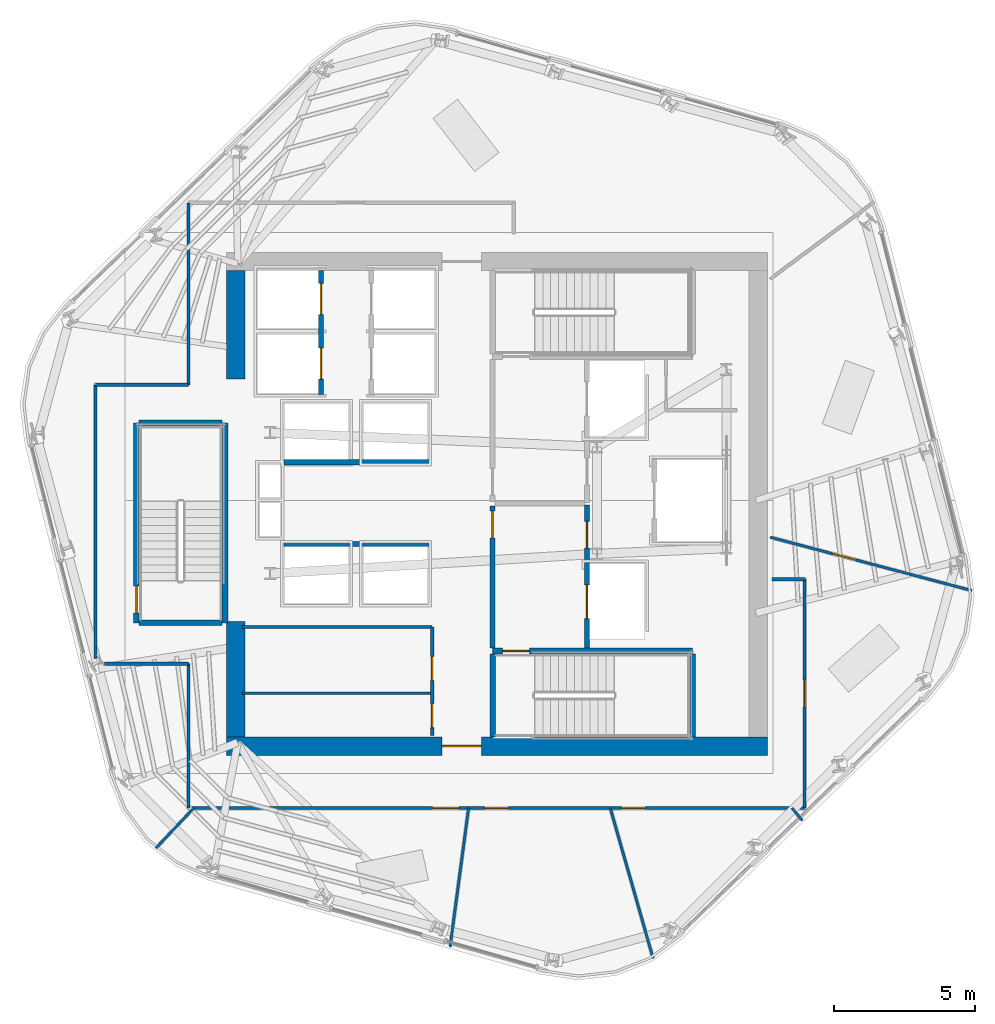
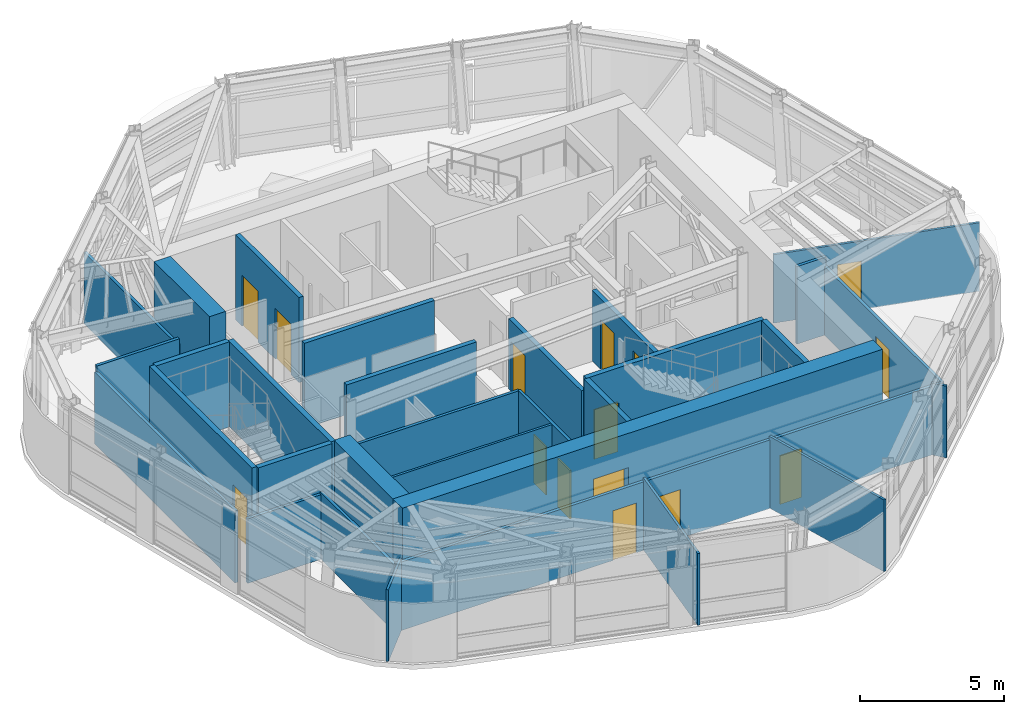
# One storey, part 8 of 14: 31 walls, 15 doors, 15 openings.
"""IFC4 building model written with IfcOpenShell, lengths in metres."""

from ifc_helpers import new_model, si_unit, direction, frame, frame_2d, origin, place, context, subcontext, project, spatial, rectangle, extrude, material, layer, layer_set, type_object, element, fill, save


model = new_model("IFC4")

# Units and contexts
model_context = context("Model", 3, precision=1e-05, world=origin(), true_north=direction((0.0, 1.0)))
body_context = subcontext(model_context, "Body", "Model", "MODEL_VIEW")
ifc_project = project(units=[si_unit("LENGTHUNIT", "METRE"), si_unit("AREAUNIT", "SQUARE_METRE"), si_unit("VOLUMEUNIT", "CUBIC_METRE"), si_unit("PLANEANGLEUNIT", "RADIAN"), si_unit("MASSUNIT", "GRAM", prefix="KILO")], contexts=[model_context])

# Site, building, storey
site_placement = place(None, origin())
site = spatial("IfcSite", under=ifc_project, at=site_placement, CompositionType="ELEMENT")
building_placement = place(site_placement, origin())
building = spatial("IfcBuilding", under=site, at=building_placement, Name="Valkerne Bourse Tower", CompositionType="ELEMENT")
storey_placement = place(building_placement, frame((0.0, 0.0, 213.199951171875)))
storey = spatial("IfcBuildingStorey", under=building, at=storey_placement, Name="L54", CompositionType="ELEMENT", Elevation=213.199951171875)

# Wall, opening, door
ifc_material_1 = material(Name="Concrete C55/67", Category="concrete")
ifc_layer_1 = layer(ifc_material_1, 0.64990234375)
ifc_layer_set_1 = layer_set([ifc_layer_1], Name="Concrete C55/67")
wall_type_1 = type_object("IfcWallType", Name="W-CORE-650", PredefinedType="SHEAR", material=ifc_layer_set_1)
wall_1_placement = place(storey_placement, frame((37.199951171875, 18.27490234375, 0.0), z_axis=(0.0, 0.0, 1.0), x_axis=(1.0, 0.0, 0.0)))
wall_1 = element("IfcWall", 1, at=wall_1_placement, inside=storey, type_object=wall_type_1, Name="L54 Core Shear Wall SOUTH", PredefinedType="SHEAR", context=body_context, shape_type="SweptSolid", body=[
    extrude(rectangle(XDim=19.199951171875, YDim=0.64990234375, at=frame_2d((9.60009765625, 0.0))), origin(), (0.0, 0.0, 1.0), 3.60009765625),
])
opening_1_placement = place(wall_1_placement, frame((7.64990234375, 0.0, 0.0)))
opening_1 = element("IfcOpeningElement", 2, at=opening_1_placement, cuts=wall_1, Name="Opening D-PL-1400", PredefinedType="OPENING", context=body_context, shape_type="SweptSolid", body=[
    extrude(rectangle(XDim=1.39990234375, YDim=2.14990234375, at=frame_2d((0.699951171875, 1.074951171875))), frame((0.0, 0.3349609375, 0.0), z_axis=(0.0, -1.0, 0.0), x_axis=(1.0, 0.0, 0.0)), (0.0, 0.0, 1.0), 0.669921875),
])
ifc_material_2 = material(Name="Galvanised Painted Steel", Category="steel")
door_type_1 = type_object("IfcDoorType", Name="DR-PLT-1400", OperationType="DOUBLE_DOOR_SINGLE_SWING", PredefinedType="DOOR", material=ifc_material_2)
door_1_placement = place(opening_1_placement, origin())
door_1 = element("IfcDoor", 3, at=door_1_placement, inside=storey, type_object=door_type_1, Name="L54 South Passenger Lift Hall Fire Door", OperationType="DOUBLE_DOOR_SINGLE_SWING", OverallHeight=2.14990234375, OverallWidth=1.39990234375, PredefinedType="DOOR", context=body_context, shape_type="SweptSolid", body=[
    extrude(rectangle(XDim=1.39990234375, YDim=2.14990234375, at=frame_2d((0.699951171875, 1.074951171875))), frame((0.0, 0.02490234375, 0.0), z_axis=(0.0, -1.0, 0.0), x_axis=(1.0, 0.0, 0.0)), (0.0, 0.0, 1.0), 0.050048828125),
])
fill(opening_1, door_1)

# Walls
wall_2_placement = place(storey_placement, frame((37.52490234375, 18.60009765625, 0.0), z_axis=(0.0, 0.0, 1.0), x_axis=(0.0, 1.0, 0.0)))
element("IfcWall", 4, at=wall_2_placement, inside=storey, type_object=wall_type_1, Name="L54 Core Shear Wall WEST-S", PredefinedType="SHEAR", context=body_context, shape_type="SweptSolid", body=[
    extrude(rectangle(XDim=4.099853515625, YDim=0.64990234375, at=frame_2d((2.0498046875, 0.0))), origin(), (0.0, 0.0, 1.0), 3.60009765625),
])
wall_3_placement = place(storey_placement, frame((37.52490234375, 31.300048828125, 0.0), z_axis=(0.0, 0.0, 1.0), x_axis=(0.0, 1.0, 0.0)))
element("IfcWall", 5, at=wall_3_placement, inside=storey, type_object=wall_type_1, Name="L54 Core Shear Wall WEST-N", PredefinedType="SHEAR", context=body_context, shape_type="SweptSolid", body=[
    extrude(rectangle(XDim=3.849853515625, YDim=0.64990234375, at=frame_2d((1.9248046875, 0.0))), origin(), (0.0, 0.0, 1.0), 3.60009765625),
])

# Wall, openings, doors
ifc_material_3 = material(Name="Gypsum Board Steel-Stud Partition", Category="steel")
ifc_layer_2 = layer(ifc_material_3, 0.117919921875)
ifc_layer_set_2 = layer_set([ifc_layer_2], Name="Gypsum Board Steel-Stud Partition")
wall_type_2 = type_object("IfcWallType", Name="W-CORR-140", PredefinedType="PARTITIONING", material=ifc_layer_set_2)
wall_4_placement = place(storey_placement, frame((44.5, 18.64990234375, 0.0), z_axis=(0.0, 0.0, 1.0), x_axis=(0.0, 1.0, 0.0)))
wall_4 = element("IfcWall", 6, at=wall_4_placement, inside=storey, type_object=wall_type_2, Name="L54 LV7 Low-Bank East Wall", PredefinedType="PARTITIONING", context=body_context, shape_type="SweptSolid", body=[
    extrude(rectangle(XDim=3.85009765625, YDim=0.117919921875, at=frame_2d((1.925048828125, 0.0))), origin(), (0.0, 0.0, 1.0), 3.300048828125),
])
opening_2_placement = place(wall_4_placement, frame((0.280029296875, 0.0, 0.0)))
opening_2 = element("IfcOpeningElement", 7, at=opening_2_placement, cuts=wall_4, Name="Opening D-WC-900", PredefinedType="OPENING", context=body_context, shape_type="SweptSolid", body=[
    extrude(rectangle(XDim=0.860107421875, YDim=2.050048828125, at=frame_2d((0.43017578125, 1.02490234375))), frame((0.0, 0.06884765625, 0.0), z_axis=(0.0, -1.0, 0.0), x_axis=(1.0, 0.0, 0.0)), (0.0, 0.0, 1.0), 0.137939453125),
])
opening_3_placement = place(wall_4_placement, frame((1.949951171875, 0.0, 0.0)))
opening_3 = element("IfcOpeningElement", 8, at=opening_3_placement, cuts=wall_4, Name="Opening D-WC-900", PredefinedType="OPENING", context=body_context, shape_type="SweptSolid", body=[
    extrude(rectangle(XDim=0.860107421875, YDim=2.050048828125, at=frame_2d((0.43017578125, 1.02490234375))), frame((0.0, 0.06884765625, 0.0), z_axis=(0.0, -1.0, 0.0), x_axis=(1.0, 0.0, 0.0)), (0.0, 0.0, 1.0), 0.137939453125),
])
ifc_material_4 = material(Name="Architectural White Oak Timber", Category="wood")
door_type_2 = type_object("IfcDoorType", Name="DR-WC-900", OperationType="NOTDEFINED", PredefinedType="DOOR", material=ifc_material_4)
door_2_placement = place(opening_2_placement, origin())
door_2 = element("IfcDoor", 9, at=door_2_placement, inside=storey, type_object=door_type_2, Name="L54 Tea Pantry Door", OperationType="SINGLE_SWING_RIGHT", OverallHeight=2.050048828125, OverallWidth=0.860107421875, PredefinedType="DOOR", context=body_context, shape_type="SweptSolid", body=[
    extrude(rectangle(XDim=0.860107421875, YDim=2.050048828125, at=frame_2d((0.43017578125, 1.02490234375))), frame((0.0, 0.02490234375, 0.0), z_axis=(0.0, -1.0, 0.0), x_axis=(1.0, 0.0, 0.0)), (0.0, 0.0, 1.0), 0.050048828125),
])
fill(opening_2, door_2)
door_3_placement = place(opening_3_placement, origin())
door_3 = element("IfcDoor", 10, at=door_3_placement, inside=storey, type_object=door_type_2, Name="L54 Portfolio Risk Office Door", OperationType="SINGLE_SWING_RIGHT", OverallHeight=2.050048828125, OverallWidth=0.860107421875, PredefinedType="DOOR", context=body_context, shape_type="SweptSolid", body=[
    extrude(rectangle(XDim=0.860107421875, YDim=2.050048828125, at=frame_2d((0.43017578125, 1.02490234375))), frame((0.0, 0.02490234375, 0.0), z_axis=(0.0, -1.0, 0.0), x_axis=(1.0, 0.0, 0.0)), (0.0, 0.0, 1.0), 0.050048828125),
])
fill(opening_3, door_3)

# Walls
wall_5_placement = place(storey_placement, frame((37.75, 22.5, 0.0), z_axis=(0.0, 0.0, 1.0), x_axis=(1.0, 0.0, 0.0)))
element("IfcWall", 11, at=wall_5_placement, inside=storey, type_object=wall_type_2, Name="L54 LV7 Low-Bank North Wall", PredefinedType="PARTITIONING", context=body_context, shape_type="SweptSolid", body=[
    extrude(rectangle(XDim=6.75, YDim=0.117919921875, at=frame_2d((3.375, 0.0))), origin(), (0.0, 0.0, 1.0), 3.300048828125),
])
wall_6_placement = place(storey_placement, frame((35.85009765625, 16.080078125, 0.0), z_axis=(0.0, 0.0, 1.0), x_axis=(0.0, 1.0, 0.0)))
element("IfcWall", 12, at=wall_6_placement, inside=storey, type_object=wall_type_2, Name="L54 Corridor Enclosure Wall", PredefinedType="PARTITIONING", context=body_context, shape_type="SweptSolid", body=[
    extrude(rectangle(XDim=5.119873046875, YDim=0.117919921875, at=frame_2d((2.56005859375, 0.0))), origin(), (0.0, 0.0, 1.0), 2.820556640625),
])
wall_7_placement = place(storey_placement, frame((35.85009765625, 21.199951171875, 0.0), z_axis=(0.0, 0.0, 1.0), x_axis=(-1.0, 0.0, 0.0)))
element("IfcWall", 13, at=wall_7_placement, inside=storey, type_object=wall_type_2, Name="L54 Corridor Enclosure Wall", PredefinedType="PARTITIONING", context=body_context, shape_type="SweptSolid", body=[
    extrude(rectangle(XDim=2.985107421875, YDim=0.117919921875, at=frame_2d((1.49267578125, 0.0))), origin(), (0.0, 0.0, 1.0), 2.731689453125),
])
wall_8_placement = place(storey_placement, frame((32.550048828125, 21.385986328125, 0.0), z_axis=(0.0, 0.0, 1.0), x_axis=(0.0, 1.0, 0.0)))
element("IfcWall", 14, at=wall_8_placement, inside=storey, type_object=wall_type_2, Name="L54 Corridor Enclosure Wall", PredefinedType="PARTITIONING", context=body_context, shape_type="SweptSolid", body=[
    extrude(rectangle(XDim=9.714111328125, YDim=0.117919921875, at=frame_2d((4.85693359375, 0.0))), origin(), (0.0, 0.0, 1.0), 3.036376953125),
])
wall_9_placement = place(storey_placement, frame((32.550048828125, 31.10009765625, 0.0), z_axis=(0.0, 0.0, 1.0), x_axis=(1.0, 0.0, 0.0)))
element("IfcWall", 15, at=wall_9_placement, inside=storey, type_object=wall_type_2, Name="L54 Corridor Enclosure Wall", PredefinedType="PARTITIONING", context=body_context, shape_type="SweptSolid", body=[
    extrude(rectangle(XDim=3.300048828125, YDim=0.117919921875, at=frame_2d((1.64990234375, 0.0))), origin(), (0.0, 0.0, 1.0), 3.300048828125),
])
wall_10_placement = place(storey_placement, frame((35.85009765625, 31.10009765625, 0.0), z_axis=(0.0, 0.0, 1.0), x_axis=(0.0, 1.0, 0.0)))
element("IfcWall", 16, at=wall_10_placement, inside=storey, type_object=wall_type_2, Name="L54 Corridor Enclosure Wall", PredefinedType="PARTITIONING", context=body_context, shape_type="SweptSolid", body=[
    extrude(rectangle(XDim=6.4599609375, YDim=0.117919921875, at=frame_2d((3.22998046875, 0.0))), origin(), (0.0, 0.0, 1.0), 3.036376953125),
])
wall_11_placement = place(storey_placement, frame((56.56005859375, 24.199951171875, 0.0), z_axis=(0.0, 0.0, 1.0), x_axis=(1.0, 0.0, 0.0)))
element("IfcWall", 17, at=wall_11_placement, inside=storey, type_object=wall_type_2, Name="L54 Corridor Enclosure Wall", PredefinedType="PARTITIONING", context=body_context, shape_type="SweptSolid", body=[
    extrude(rectangle(XDim=1.159912109375, YDim=0.117919921875, at=frame_2d((0.580078125, 0.0))), origin(), (0.0, 0.0, 1.0), 3.280029296875),
])

# Wall, opening, door
wall_12_placement = place(storey_placement, frame((57.719970703125, 24.199951171875, 0.0), z_axis=(0.0, 0.0, 1.0), x_axis=(0.0, -1.0, 0.0)))
wall_12 = element("IfcWall", 18, at=wall_12_placement, inside=storey, type_object=wall_type_2, Name="L54 Corridor Enclosure Wall", PredefinedType="PARTITIONING", context=body_context, shape_type="SweptSolid", body=[
    extrude(rectangle(XDim=8.119873046875, YDim=0.117919921875, at=frame_2d((4.06005859375, 0.0))), origin(), (0.0, 0.0, 1.0), 2.896728515625),
])
opening_4_placement = place(wall_12_placement, frame((3.5849609375, 0.0, 0.0)))
opening_4 = element("IfcOpeningElement", 19, at=opening_4_placement, cuts=wall_12, Name="Opening D-OF-950", PredefinedType="OPENING", context=body_context, shape_type="SweptSolid", body=[
    extrude(rectangle(XDim=0.949951171875, YDim=2.10009765625, at=frame_2d((0.47509765625, 1.050048828125))), frame((0.0, 0.06884765625, 0.0), z_axis=(0.0, -1.0, 0.0), x_axis=(1.0, 0.0, 0.0)), (0.0, 0.0, 1.0), 0.137939453125),
])
door_type_3 = type_object("IfcDoorType", Name="DR-OFF-950", OperationType="NOTDEFINED", PredefinedType="DOOR", material=ifc_material_4)
door_4_placement = place(opening_4_placement, origin())
door_4 = element("IfcDoor", 20, at=door_4_placement, inside=storey, type_object=door_type_3, Name="L54 L54 Member Collaboration Club Salon 4 Door", OperationType="SINGLE_SWING_LEFT", OverallHeight=2.10009765625, OverallWidth=0.949951171875, PredefinedType="DOOR", context=body_context, shape_type="SweptSolid", body=[
    extrude(rectangle(XDim=0.949951171875, YDim=2.10009765625, at=frame_2d((0.47509765625, 1.050048828125))), frame((0.0, 0.02490234375, 0.0), z_axis=(0.0, -1.0, 0.0), x_axis=(1.0, 0.0, 0.0)), (0.0, 0.0, 1.0), 0.050048828125),
])
fill(opening_4, door_4)

# Wall, openings, doors
wall_13_placement = place(storey_placement, frame((57.719970703125, 16.080078125, 0.0), z_axis=(0.0, 0.0, 1.0), x_axis=(-1.0, 0.0, 0.0)))
wall_13 = element("IfcWall", 21, at=wall_13_placement, inside=storey, type_object=wall_type_2, Name="L54 Corridor Enclosure Wall", PredefinedType="PARTITIONING", context=body_context, shape_type="SweptSolid", body=[
    extrude(rectangle(XDim=21.869873046875, YDim=0.117919921875, at=frame_2d((10.93505859375, 0.0))), origin(), (0.0, 0.0, 1.0), 2.896728515625),
])
opening_5_placement = place(wall_13_placement, frame((5.64501953125, 0.0, 0.0)))
opening_5 = element("IfcOpeningElement", 22, at=opening_5_placement, cuts=wall_13, Name="Opening D-WC-900", PredefinedType="OPENING", context=body_context, shape_type="SweptSolid", body=[
    extrude(rectangle(XDim=0.860107421875, YDim=2.050048828125, at=frame_2d((0.43017578125, 1.02490234375))), frame((0.0, 0.06884765625, 0.0), z_axis=(0.0, -1.0, 0.0), x_axis=(1.0, 0.0, 0.0)), (0.0, 0.0, 1.0), 0.137939453125),
])
opening_6_placement = place(wall_13_placement, frame((10.5048828125, 0.0, 0.0)))
opening_6 = element("IfcOpeningElement", 23, at=opening_6_placement, cuts=wall_13, Name="Opening D-WC-900", PredefinedType="OPENING", context=body_context, shape_type="SweptSolid", body=[
    extrude(rectangle(XDim=0.860107421875, YDim=2.050048828125, at=frame_2d((0.43017578125, 1.02490234375))), frame((0.0, 0.06884765625, 0.0), z_axis=(0.0, -1.0, 0.0), x_axis=(1.0, 0.0, 0.0)), (0.0, 0.0, 1.0), 0.137939453125),
])
opening_7_placement = place(wall_13_placement, frame((12.260009765625, 0.0, 0.0)))
opening_7 = element("IfcOpeningElement", 24, at=opening_7_placement, cuts=wall_13, Name="Opening D-OF-950", PredefinedType="OPENING", context=body_context, shape_type="SweptSolid", body=[
    extrude(rectangle(XDim=0.949951171875, YDim=2.10009765625, at=frame_2d((0.47509765625, 1.050048828125))), frame((0.0, 0.06884765625, 0.0), z_axis=(0.0, -1.0, 0.0), x_axis=(1.0, 0.0, 0.0)), (0.0, 0.0, 1.0), 0.137939453125),
])
door_5_placement = place(opening_7_placement, origin())
door_5 = element("IfcDoor", 25, at=door_5_placement, inside=storey, type_object=door_type_3, Name="L54 L54 Member Collaboration Club Salon 3 Door", OperationType="SINGLE_SWING_RIGHT", OverallHeight=2.10009765625, OverallWidth=0.949951171875, PredefinedType="DOOR", context=body_context, shape_type="SweptSolid", body=[
    extrude(rectangle(XDim=0.949951171875, YDim=2.10009765625, at=frame_2d((0.47509765625, 1.050048828125))), frame((0.0, 0.02490234375, 0.0), z_axis=(0.0, -1.0, 0.0), x_axis=(1.0, 0.0, 0.0)), (0.0, 0.0, 1.0), 0.050048828125),
])
fill(opening_7, door_5)
door_6_placement = place(opening_5_placement, origin())
door_6 = element("IfcDoor", 26, at=door_6_placement, inside=storey, type_object=door_type_2, Name="L54 L54 Men Bathroom WC 1 Door", OperationType="SINGLE_SWING_RIGHT", OverallHeight=2.050048828125, OverallWidth=0.860107421875, PredefinedType="DOOR", context=body_context, shape_type="SweptSolid", body=[
    extrude(rectangle(XDim=0.860107421875, YDim=2.050048828125, at=frame_2d((0.43017578125, 1.02490234375))), frame((0.0, 0.02490234375, 0.0), z_axis=(0.0, -1.0, 0.0), x_axis=(1.0, 0.0, 0.0)), (0.0, 0.0, 1.0), 0.050048828125),
])
fill(opening_5, door_6)
door_7_placement = place(opening_6_placement, origin())
door_7 = element("IfcDoor", 27, at=door_7_placement, inside=storey, type_object=door_type_2, Name="L54 L54 Women Restroom & Shower WC 2 Door", OperationType="SINGLE_SWING_RIGHT", OverallHeight=2.050048828125, OverallWidth=0.860107421875, PredefinedType="DOOR", context=body_context, shape_type="SweptSolid", body=[
    extrude(rectangle(XDim=0.860107421875, YDim=2.050048828125, at=frame_2d((0.43017578125, 1.02490234375))), frame((0.0, 0.02490234375, 0.0), z_axis=(0.0, -1.0, 0.0), x_axis=(1.0, 0.0, 0.0)), (0.0, 0.0, 1.0), 0.050048828125),
])
fill(opening_6, door_7)

# Wall, opening, door
ifc_material_5 = material(Name="Gypsum Fire-Rated Shaftwall", Category="gypsum")
ifc_layer_3 = layer(ifc_material_5, 0.179931640625)
ifc_layer_set_3 = layer_set([ifc_layer_3], Name="Gypsum Fire-Rated Shaftwall")
wall_type_3 = type_object("IfcWallType", Name="W-FSAE-180", PredefinedType="PARTITIONING", material=ifc_layer_set_3)
wall_14_placement = place(storey_placement, frame((46.64990234375, 21.75, 0.0), z_axis=(0.0, 0.0, 1.0), x_axis=(0.0, 1.0, 0.0)))
wall_14 = element("IfcWall", 28, at=wall_14_placement, inside=storey, type_object=wall_type_3, Name="L54 FSAE-1 Lobby West Fire Wall", PredefinedType="PARTITIONING", context=body_context, shape_type="SweptSolid", body=[
    extrude(rectangle(XDim=5.050048828125, YDim=0.179931640625, at=frame_2d((2.52490234375, 0.0))), origin(), (0.0, 0.0, 1.0), 2.97802734375),
])
opening_8_placement = place(wall_14_placement, frame((3.919921875, 0.0, 0.0)))
opening_8 = element("IfcOpeningElement", 29, at=opening_8_placement, cuts=wall_14, Name="Opening D-FS-950", PredefinedType="OPENING", context=body_context, shape_type="SweptSolid", body=[
    extrude(rectangle(XDim=0.949951171875, YDim=2.10009765625, at=frame_2d((0.47509765625, 1.050048828125))), frame((0.0, 0.099853515625, 0.0), z_axis=(0.0, -1.0, 0.0), x_axis=(1.0, 0.0, 0.0)), (0.0, 0.0, 1.0), 0.199951171875),
])
door_type_4 = type_object("IfcDoorType", Name="DR-FSAE-950", OperationType="NOTDEFINED", PredefinedType="DOOR", material=ifc_material_2)
door_8_placement = place(opening_8_placement, origin())
door_8 = element("IfcDoor", 30, at=door_8_placement, inside=storey, type_object=door_type_4, Name="L54 FSAE-1 Hall Link Fire Door", OperationType="SINGLE_SWING_LEFT", OverallHeight=2.10009765625, OverallWidth=0.949951171875, PredefinedType="DOOR", context=body_context, shape_type="SweptSolid", body=[
    extrude(rectangle(XDim=0.949951171875, YDim=2.10009765625, at=frame_2d((0.47509765625, 1.050048828125))), frame((0.0, 0.02490234375, 0.0), z_axis=(0.0, -1.0, 0.0), x_axis=(1.0, 0.0, 0.0)), (0.0, 0.0, 1.0), 0.050048828125),
])
fill(opening_8, door_8)

# Wall, openings, doors
wall_15_placement = place(storey_placement, frame((50.0, 21.75, 0.0), z_axis=(0.0, 0.0, 1.0), x_axis=(0.0, 1.0, 0.0)))
wall_15 = element("IfcWall", 31, at=wall_15_placement, inside=storey, type_object=wall_type_3, Name="L54 FSAE-1 Lobby & Shaft Front Wall", PredefinedType="PARTITIONING", context=body_context, shape_type="SweptSolid", body=[
    extrude(rectangle(XDim=5.090087890625, YDim=0.179931640625, at=frame_2d((2.544921875, 0.0))), origin(), (0.0, 0.0, 1.0), 2.97802734375),
])
opening_9_placement = place(wall_15_placement, frame((1.050048828125, 0.0, 0.0)))
opening_9 = element("IfcOpeningElement", 32, at=opening_9_placement, cuts=wall_15, Name="Opening LD-1200", PredefinedType="OPENING", context=body_context, shape_type="SweptSolid", body=[
    extrude(rectangle(XDim=1.199951171875, YDim=2.14990234375, at=frame_2d((0.60009765625, 1.074951171875))), frame((0.0, 0.099853515625, 0.0), z_axis=(0.0, -1.0, 0.0), x_axis=(1.0, 0.0, 0.0)), (0.0, 0.0, 1.0), 0.199951171875),
])
opening_10_placement = place(wall_15_placement, frame((3.550048828125, 0.0, 0.0)))
opening_10 = element("IfcOpeningElement", 33, at=opening_10_placement, cuts=wall_15, Name="Opening D-FS-950", PredefinedType="OPENING", context=body_context, shape_type="SweptSolid", body=[
    extrude(rectangle(XDim=0.949951171875, YDim=2.10009765625, at=frame_2d((0.47509765625, 1.050048828125))), frame((0.0, 0.099853515625, 0.0), z_axis=(0.0, -1.0, 0.0), x_axis=(1.0, 0.0, 0.0)), (0.0, 0.0, 1.0), 0.199951171875),
])
door_9_placement = place(opening_10_placement, origin())
door_9 = element("IfcDoor", 34, at=door_9_placement, inside=storey, type_object=door_type_4, Name="L54 FSAE-1 Lobby Corridor Fire Door", OperationType="SINGLE_SWING_RIGHT", OverallHeight=2.10009765625, OverallWidth=0.949951171875, PredefinedType="DOOR", context=body_context, shape_type="SweptSolid", body=[
    extrude(rectangle(XDim=0.949951171875, YDim=2.10009765625, at=frame_2d((0.47509765625, 1.050048828125))), frame((0.0, 0.02490234375, 0.0), z_axis=(0.0, -1.0, 0.0), x_axis=(1.0, 0.0, 0.0)), (0.0, 0.0, 1.0), 0.050048828125),
])
fill(opening_10, door_9)
ifc_material_6 = material(Name="Stainless Steel AISI 316", Category="steel")
door_type_5 = type_object("IfcDoorType", Name="DR-LIFT-1200", OperationType="DOUBLE_DOOR_SLIDING", PredefinedType="DOOR", material=ifc_material_6)
door_10_placement = place(opening_9_placement, origin())
door_10 = element("IfcDoor", 35, at=door_10_placement, inside=storey, type_object=door_type_5, Name="L54 FSAE-1 Firefighting Lift Landing Door", OperationType="DOUBLE_DOOR_SLIDING", OverallHeight=2.14990234375, OverallWidth=1.199951171875, PredefinedType="DOOR", context=body_context, shape_type="SweptSolid", body=[
    extrude(rectangle(XDim=1.199951171875, YDim=2.14990234375, at=frame_2d((0.60009765625, 1.074951171875))), frame((0.0, 0.02490234375, 0.0), z_axis=(0.0, -1.0, 0.0), x_axis=(1.0, 0.0, 0.0)), (0.0, 0.0, 1.0), 0.050048828125),
])
fill(opening_9, door_10)

ifc_material_7 = material(Name="CMU Blockwork Masonry 200mm", Category="masonry")
ifc_layer_4 = layer(ifc_material_7, 0.179931640625)
ifc_layer_set_4 = layer_set([ifc_layer_4], Name="CMU Blockwork Masonry 200mm")
wall_type_4 = type_object("IfcWallType", Name="W-LFT-180", PredefinedType="SOLIDWALL", material=ifc_layer_set_4)
wall_16_placement = place(storey_placement, frame((40.550048828125, 30.75, 0.0), z_axis=(0.0, 0.0, 1.0), x_axis=(0.0, 1.0, 0.0)))
wall_16 = element("IfcWall", 36, at=wall_16_placement, inside=storey, type_object=wall_type_4, Name="L54 Mid-Zone West Cars Front Wall", PredefinedType="SOLIDWALL", context=body_context, shape_type="SweptSolid", body=[
    extrude(rectangle(XDim=4.39990234375, YDim=0.179931640625, at=frame_2d((2.199951171875, 0.0))), origin(), (0.0, 0.0, 1.0), 3.60009765625),
])
opening_11_placement = place(wall_16_placement, frame((0.550048828125, 0.0, 0.0)))
opening_11 = element("IfcOpeningElement", 37, at=opening_11_placement, cuts=wall_16, Name="Opening LD-1100", PredefinedType="OPENING", context=body_context, shape_type="SweptSolid", body=[
    extrude(rectangle(XDim=1.10009765625, YDim=2.14990234375, at=frame_2d((0.550048828125, 1.074951171875))), frame((0.0, 0.099853515625, 0.0), z_axis=(0.0, -1.0, 0.0), x_axis=(1.0, 0.0, 0.0)), (0.0, 0.0, 1.0), 0.199951171875),
])
opening_12_placement = place(wall_16_placement, frame((2.85009765625, 0.0, 0.0)))
opening_12 = element("IfcOpeningElement", 38, at=opening_12_placement, cuts=wall_16, Name="Opening LD-1100", PredefinedType="OPENING", context=body_context, shape_type="SweptSolid", body=[
    extrude(rectangle(XDim=1.10009765625, YDim=2.14990234375, at=frame_2d((0.550048828125, 1.074951171875))), frame((0.0, 0.099853515625, 0.0), z_axis=(0.0, -1.0, 0.0), x_axis=(1.0, 0.0, 0.0)), (0.0, 0.0, 1.0), 0.199951171875),
])
door_type_6 = type_object("IfcDoorType", Name="DR-LIFT-1100", OperationType="DOUBLE_DOOR_SLIDING", PredefinedType="DOOR", material=ifc_material_6)
door_11_placement = place(opening_11_placement, origin())
door_11 = element("IfcDoor", 39, at=door_11_placement, inside=storey, type_object=door_type_6, Name="L54 Passenger Lift PL-M1 Sliding Landing Door", OperationType="DOUBLE_DOOR_SLIDING", OverallHeight=2.14990234375, OverallWidth=1.10009765625, PredefinedType="DOOR", context=body_context, shape_type="SweptSolid", body=[
    extrude(rectangle(XDim=1.10009765625, YDim=2.14990234375, at=frame_2d((0.550048828125, 1.074951171875))), frame((0.0, 0.02490234375, 0.0), z_axis=(0.0, -1.0, 0.0), x_axis=(1.0, 0.0, 0.0)), (0.0, 0.0, 1.0), 0.050048828125),
])
fill(opening_11, door_11)
door_12_placement = place(opening_12_placement, origin())
door_12 = element("IfcDoor", 40, at=door_12_placement, inside=storey, type_object=door_type_6, Name="L54 Passenger Lift PL-M2 Sliding Landing Door", OperationType="DOUBLE_DOOR_SLIDING", OverallHeight=2.14990234375, OverallWidth=1.10009765625, PredefinedType="DOOR", context=body_context, shape_type="SweptSolid", body=[
    extrude(rectangle(XDim=1.10009765625, YDim=2.14990234375, at=frame_2d((0.550048828125, 1.074951171875))), frame((0.0, 0.02490234375, 0.0), z_axis=(0.0, -1.0, 0.0), x_axis=(1.0, 0.0, 0.0)), (0.0, 0.0, 1.0), 0.050048828125),
])
fill(opening_12, door_12)

# Walls
for number, where, z_axis, x_axis, name in (
    (41, (39.25, 25.449951171875, 0.0), (0.0, 0.0, 1.0), (1.0, 0.0, 0.0), "L54 High-Zone South Cars Front Wall"),
    (42, (39.25, 28.35009765625, 0.0), (0.0, 0.0, 1.0), (1.0, 0.0, 0.0), "L54 High-Zone North Cars Front Wall"),
):
    element("IfcWall", number, at=place(storey_placement, frame(where, z_axis=z_axis, x_axis=x_axis)), inside=storey, type_object=wall_type_4, Name=name, PredefinedType="SOLIDWALL", context=body_context, shape_type="SweptSolid", body=[
        extrude(rectangle(XDim=5.199951171875, YDim=0.179931640625, at=frame_2d((2.60009765625, 0.0))), origin(), (0.0, 0.0, 1.0), 3.60009765625),
    ])
ifc_layer_5 = layer(ifc_material_3, 0.092041015625)
ifc_layer_set_5 = layer_set([ifc_layer_5], Name="Gypsum Board Steel-Stud Partition")
wall_type_5 = type_object("IfcWallType", Name="W-PART-115", PredefinedType="PARTITIONING", material=ifc_layer_set_5)
wall_17_placement = place(storey_placement, frame((37.75, 20.14990234375, 0.0), z_axis=(0.0, 0.0, 1.0), x_axis=(1.0, 0.0, 0.0)))
element("IfcWall", 43, at=wall_17_placement, inside=storey, type_object=wall_type_5, Name="L54 LV7 Low-Bank Sub-Divider", PredefinedType="PARTITIONING", context=body_context, shape_type="SweptSolid", body=[
    extrude(rectangle(XDim=6.75, YDim=0.092041015625, at=frame_2d((3.375, 0.0))), origin(), (0.0, 0.0, 1.0), 3.300048828125),
])
wall_18_placement = place(storey_placement, frame((45.79541015625, 16.074951171875, 0.0), z_axis=(0.0, 0.0, 1.0), x_axis=(-0.132221673229, -0.991220171873, 0.0)))
element("IfcWall", 44, at=wall_18_placement, inside=storey, type_object=wall_type_5, Name="L54 Suite Partition P01", PredefinedType="PARTITIONING", context=body_context, shape_type="SweptSolid", body=[
    extrude(rectangle(XDim=4.967041015625, YDim=0.092041015625, at=frame_2d((2.4833984375, 0.0))), origin(), (0.0, 0.0, 1.0), 3.036376953125),
])
wall_19_placement = place(storey_placement, frame((50.825439453125, 16.074951171875, 0.0), z_axis=(0.0, 0.0, 1.0), x_axis=(0.273952687415, -0.961743170009, 0.0)))
element("IfcWall", 45, at=wall_19_placement, inside=storey, type_object=wall_type_5, Name="L54 Suite Partition P02", PredefinedType="PARTITIONING", context=body_context, shape_type="SweptSolid", body=[
    extrude(rectangle(XDim=5.53955078125, YDim=0.092041015625, at=frame_2d((2.769775390625, 0.0))), origin(), (0.0, 0.0, 1.0), 3.036376953125),
])
wall_20_placement = place(storey_placement, frame((57.27734375, 16.074951171875, 0.0), z_axis=(0.0, 0.0, 1.0), x_axis=(0.634785372445, -0.772688508346, 0.0)))
element("IfcWall", 46, at=wall_20_placement, inside=storey, type_object=wall_type_5, Name="L54 Suite Partition P03", PredefinedType="PARTITIONING", context=body_context, shape_type="SweptSolid", body=[
    extrude(rectangle(XDim=0.56640625, YDim=0.092041015625, at=frame_2d((0.283203125, 0.0))), origin(), (0.0, 0.0, 1.0), 3.036376953125),
])

# Wall, opening, door
wall_21_placement = place(storey_placement, frame((56.5, 25.69091796875, 0.0), z_axis=(0.0, 0.0, 1.0), x_axis=(0.966694426038, -0.255933363724, 0.0)))
wall_21 = element("IfcWall", 47, at=wall_21_placement, inside=storey, type_object=wall_type_5, Name="L54 Suite Partition P04", PredefinedType="PARTITIONING", context=body_context, shape_type="SweptSolid", body=[
    extrude(rectangle(XDim=7.400634765625, YDim=0.092041015625, at=frame_2d((3.7001953125, 0.0))), origin(), (0.0, 0.0, 1.0), 2.896728515625),
])
opening_13_placement = place(wall_21_placement, frame((2.289306640625, 0.0, 0.0)))
opening_13 = element("IfcOpeningElement", 48, at=opening_13_placement, cuts=wall_21, Name="Opening D-WC-900", PredefinedType="OPENING", context=body_context, shape_type="SweptSolid", body=[
    extrude(rectangle(XDim=0.860107421875, YDim=2.050048828125, at=frame_2d((0.43017578125, 1.02490234375))), frame((0.0, 0.055908203125, 0.0), z_axis=(0.0, -1.0, 0.0), x_axis=(1.0, 0.0, 0.0)), (0.0, 0.0, 1.0), 0.112060546875),
])
door_13_placement = place(opening_13_placement, origin())
door_13 = element("IfcDoor", 49, at=door_13_placement, inside=storey, type_object=door_type_2, Name="L54 L54 Commodities Market Showroom 5 Suite Door", OperationType="SINGLE_SWING_LEFT", OverallHeight=2.050048828125, OverallWidth=0.860107421875, PredefinedType="DOOR", context=body_context, shape_type="SweptSolid", body=[
    extrude(rectangle(XDim=0.860107421875, YDim=2.050048828125, at=frame_2d((0.43017578125, 1.02490234375))), frame((0.0, 0.02490234375, 0.0), z_axis=(0.0, -1.0, 0.0), x_axis=(1.0, 0.0, 0.0)), (0.0, 0.0, 1.0), 0.050048828125),
])
fill(opening_13, door_13)

# Wall
wall_22_placement = place(storey_placement, frame((36.039794921875, 16.074951171875, 0.0), z_axis=(0.0, 0.0, 1.0), x_axis=(-0.686722194381, -0.726919959655, 0.0)))
element("IfcWall", 50, at=wall_22_placement, inside=storey, type_object=wall_type_5, Name="L54 Suite Partition P06", PredefinedType="PARTITIONING", context=body_context, shape_type="SweptSolid", body=[
    extrude(rectangle(XDim=1.961669921875, YDim=0.092041015625, at=frame_2d((0.98095703125, 0.0))), origin(), (0.0, 0.0, 1.0), 3.036376953125),
])

# Wall, opening, door
ifc_material_8 = material(Name="Concrete C40/50", Category="concrete")
ifc_layer_6 = layer(ifc_material_8, 0.199951171875)
ifc_layer_set_6 = layer_set([ifc_layer_6], Name="Concrete C40/50")
wall_type_6 = type_object("IfcWallType", Name="W-SHF-200", PredefinedType="SHEAR", material=ifc_layer_set_6)
wall_23_placement = place(storey_placement, frame((46.64990234375, 21.64990234375, 0.0), z_axis=(0.0, 0.0, 1.0), x_axis=(1.0, 0.0, 0.0)))
wall_23 = element("IfcWall", 51, at=wall_23_placement, inside=storey, type_object=wall_type_6, Name="L54 Exit Stair ST-1 Structural Shaft Wall North", PredefinedType="SHEAR", context=body_context, shape_type="SweptSolid", body=[
    extrude(rectangle(XDim=7.10009765625, YDim=0.199951171875, at=frame_2d((3.550048828125, 0.0))), origin(), (0.0, 0.0, 1.0), 3.60009765625),
])
opening_14_placement = place(wall_23_placement, frame((0.35009765625, 0.0, 0.0)))
opening_14 = element("IfcOpeningElement", 52, at=opening_14_placement, cuts=wall_23, Name="Opening D-ST-950", PredefinedType="OPENING", context=body_context, shape_type="SweptSolid", body=[
    extrude(rectangle(XDim=0.949951171875, YDim=2.10009765625, at=frame_2d((0.47509765625, 1.050048828125))), frame((0.0, 0.10986328125, 0.0), z_axis=(0.0, -1.0, 0.0), x_axis=(1.0, 0.0, 0.0)), (0.0, 0.0, 1.0), 0.219970703125),
])
door_type_7 = type_object("IfcDoorType", Name="DR-STAIR-950", OperationType="NOTDEFINED", PredefinedType="DOOR", material=ifc_material_2)
door_14_placement = place(opening_14_placement, origin())
door_14 = element("IfcDoor", 53, at=door_14_placement, inside=storey, type_object=door_type_7, Name="L54 Exit Stair ST-1 Door", OperationType="SINGLE_SWING_LEFT", OverallHeight=2.10009765625, OverallWidth=0.949951171875, PredefinedType="DOOR", context=body_context, shape_type="SweptSolid", body=[
    extrude(rectangle(XDim=0.949951171875, YDim=2.10009765625, at=frame_2d((0.47509765625, 1.050048828125))), frame((0.0, 0.02490234375, 0.0), z_axis=(0.0, -1.0, 0.0), x_axis=(1.0, 0.0, 0.0)), (0.0, 0.0, 1.0), 0.050048828125),
])
fill(opening_14, door_14)

# Walls
for number, where, z_axis, x_axis, name in (
    (54, (46.64990234375, 18.60009765625, 0.0), (0.0, 0.0, 1.0), (0.0, 1.0, 0.0), "L54 Exit Stair ST-1 Structural Shaft Wall West"),
    (55, (53.75, 18.60009765625, 0.0), (0.0, 0.0, 1.0), (0.0, 1.0, 0.0), "L54 Exit Stair ST-1 Structural Shaft Wall East"),
):
    element("IfcWall", number, at=place(storey_placement, frame(where, z_axis=z_axis, x_axis=x_axis)), inside=storey, type_object=wall_type_6, Name=name, PredefinedType="SHEAR", context=body_context, shape_type="SweptSolid", body=[
        extrude(rectangle(XDim=2.949951171875, YDim=0.199951171875, at=frame_2d((1.47509765625, 0.0))), origin(), (0.0, 0.0, 1.0), 3.60009765625),
    ])

# Wall, opening, door
wall_24_placement = place(storey_placement, frame((34.0, 22.64990234375, 0.0), z_axis=(0.0, 0.0, 1.0), x_axis=(0.0, 1.0, 0.0)))
wall_24 = element("IfcWall", 56, at=wall_24_placement, inside=storey, type_object=wall_type_6, Name="L54 Exit Stair ST-3 Structural Shaft Wall West", PredefinedType="SHEAR", context=body_context, shape_type="SweptSolid", body=[
    extrude(rectangle(XDim=7.10009765625, YDim=0.199951171875, at=frame_2d((3.550048828125, 0.0))), origin(), (0.0, 0.0, 1.0), 3.60009765625),
])
opening_15_placement = place(wall_24_placement, frame((0.35009765625, 0.0, 0.0)))
opening_15 = element("IfcOpeningElement", 57, at=opening_15_placement, cuts=wall_24, Name="Opening D-ST-950", PredefinedType="OPENING", context=body_context, shape_type="SweptSolid", body=[
    extrude(rectangle(XDim=0.949951171875, YDim=2.10009765625, at=frame_2d((0.47509765625, 1.050048828125))), frame((0.0, 0.10986328125, 0.0), z_axis=(0.0, -1.0, 0.0), x_axis=(1.0, 0.0, 0.0)), (0.0, 0.0, 1.0), 0.219970703125),
])
door_15_placement = place(opening_15_placement, origin())
door_15 = element("IfcDoor", 58, at=door_15_placement, inside=storey, type_object=door_type_7, Name="L54 Exit Stair ST-3 Door", OperationType="SINGLE_SWING_LEFT", OverallHeight=2.10009765625, OverallWidth=0.949951171875, PredefinedType="DOOR", context=body_context, shape_type="SweptSolid", body=[
    extrude(rectangle(XDim=0.949951171875, YDim=2.10009765625, at=frame_2d((0.47509765625, 1.050048828125))), frame((0.0, 0.02490234375, 0.0), z_axis=(0.0, -1.0, 0.0), x_axis=(1.0, 0.0, 0.0)), (0.0, 0.0, 1.0), 0.050048828125),
])
fill(opening_15, door_15)

# Walls
for number, where, z_axis, x_axis, name in (
    (59, (34.10009765625, 22.64990234375, 0.0), (0.0, 0.0, 1.0), (1.0, 0.0, 0.0), "L54 Exit Stair ST-3 Structural Shaft Wall South"),
    (60, (34.10009765625, 29.75, 0.0), (0.0, 0.0, 1.0), (1.0, 0.0, 0.0), "L54 Exit Stair ST-3 Structural Shaft Wall North"),
):
    element("IfcWall", number, at=place(storey_placement, frame(where, z_axis=z_axis, x_axis=x_axis)), inside=storey, type_object=wall_type_6, Name=name, PredefinedType="SHEAR", context=body_context, shape_type="SweptSolid", body=[
        extrude(rectangle(XDim=2.949951171875, YDim=0.199951171875, at=frame_2d((1.47509765625, 0.0))), origin(), (0.0, 0.0, 1.0), 3.60009765625),
    ])
wall_25_placement = place(storey_placement, frame((37.14990234375, 22.64990234375, 0.0), z_axis=(0.0, 0.0, 1.0), x_axis=(0.0, 1.0, 0.0)))
element("IfcWall", 61, at=wall_25_placement, inside=storey, type_object=wall_type_6, Name="L54 Exit Stair ST-3 Structural Shaft Wall East", PredefinedType="SHEAR", context=body_context, shape_type="SweptSolid", body=[
    extrude(rectangle(XDim=7.10009765625, YDim=0.199951171875, at=frame_2d((3.550048828125, 0.0))), origin(), (0.0, 0.0, 1.0), 3.60009765625),
])

save(model, "model.ifc")
